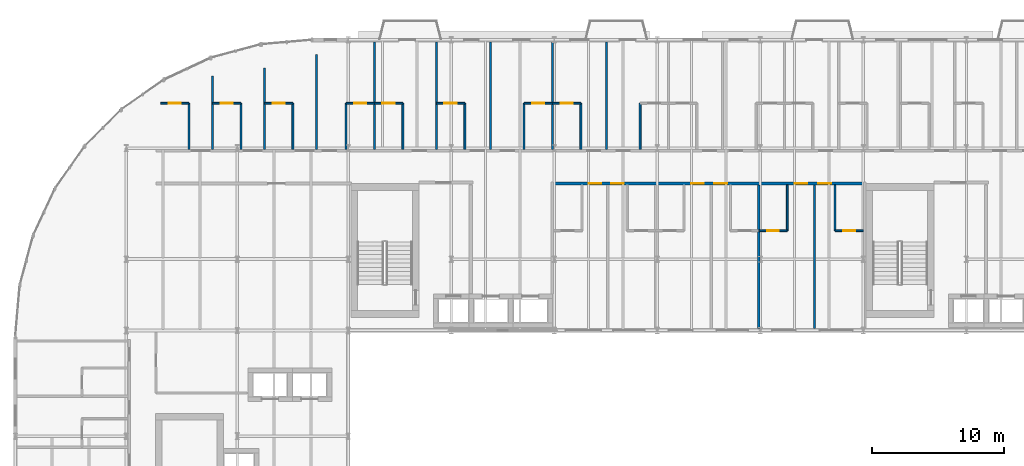
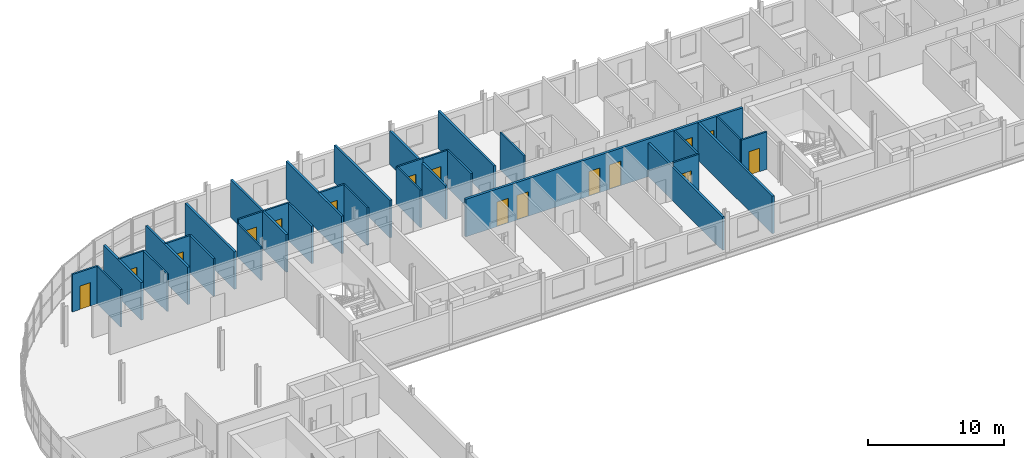
# One storey, part 23 of 36: 32 walls, 16 doors, 16 openings.
"""IFC4 building model written with IfcOpenShell, lengths in metres."""

from ifc_helpers import new_model, si_unit, direction, frame, frame_2d, origin, place, context, subcontext, project, spatial, rectangle, extrude, material, layer, layer_set, type_object, element, fill, save


model = new_model("IFC4")

# Units and contexts
model_context = context("Model", 3, precision=1e-05, world=origin(), true_north=direction((0.0, 1.0)))
body_context = subcontext(model_context, "Body", "Model", "MODEL_VIEW")
ifc_project = project(units=[si_unit("LENGTHUNIT", "METRE"), si_unit("AREAUNIT", "SQUARE_METRE"), si_unit("VOLUMEUNIT", "CUBIC_METRE"), si_unit("PLANEANGLEUNIT", "RADIAN"), si_unit("MASSUNIT", "GRAM", prefix="KILO")], contexts=[model_context])

# Site, building, storey
site_placement = place(None, origin())
site = spatial("IfcSite", under=ifc_project, at=site_placement, CompositionType="ELEMENT")
building_placement = place(site_placement, origin())
building = spatial("IfcBuilding", under=site, at=building_placement, Name="Sefraquen Railside Congress Hotel", CompositionType="ELEMENT")
storey_placement = place(building_placement, frame((0.0, 0.0, 28.199951171875)))
storey = spatial("IfcBuildingStorey", under=building, at=storey_placement, Name="L06", CompositionType="ELEMENT", Elevation=28.199951171875)

# Wall
ifc_material_1 = material(Name="Moisture-resistant gypsum board", Category="gypsum")
ifc_layer_1 = layer(ifc_material_1, 0.139892578125)
ifc_layer_set_1 = layer_set([ifc_layer_1], Name="Moisture-resistant gypsum board")
wall_type_1 = type_object("IfcWallType", Name="TW-PW-140", PredefinedType="PARTITIONING", material=ifc_layer_set_1)
wall_1_placement = place(storey_placement, frame((25.041015625, 109.699951171875, 0.0), z_axis=(0.0, 0.0, 1.0), x_axis=(0.0, 1.0, 0.0)))
element("IfcWall", 1, at=wall_1_placement, inside=storey, type_object=wall_type_1, Name="En-suite bathroom west wall RM-001", PredefinedType="PARTITIONING", context=body_context, shape_type="SweptSolid", body=[
    extrude(rectangle(XDim=3.5, YDim=0.139892578125, at=frame_2d((1.75, 0.0))), origin(), (0.0, 0.0, 1.0), 2.989990234375),
])

# Wall, opening, door
wall_2_placement = place(storey_placement, frame((25.041015625, 113.199951171875, 0.0), z_axis=(0.0, 0.0, 1.0), x_axis=(1.0, 0.0, 0.0)))
wall_2 = element("IfcWall", 2, at=wall_2_placement, inside=storey, type_object=wall_type_1, Name="En-suite bathroom north wall RM-001", PredefinedType="PARTITIONING", context=body_context, shape_type="SweptSolid", body=[
    extrude(rectangle(XDim=2.14990234375, YDim=0.139892578125, at=frame_2d((1.074951171875, 0.0))), origin(), (0.0, 0.0, 1.0), 3.360107421875),
])
opening_1_placement = place(wall_2_placement, frame((0.60498046875, 0.0, 0.0)))
opening_1 = element("IfcOpeningElement", 3, at=opening_1_placement, cuts=wall_2, Name="Opening ID-01", PredefinedType="OPENING", context=body_context, shape_type="SweptSolid", body=[
    extrude(rectangle(XDim=0.93994140625, YDim=2.14990234375, at=frame_2d((0.469970703125, 1.074951171875))), frame((0.0, 0.079833984375, 0.0), z_axis=(0.0, -1.0, 0.0), x_axis=(1.0, 0.0, 0.0)), (0.0, 0.0, 1.0), 0.159912109375),
])
ifc_material_2 = material(Name="Lacquered cedar joinery", Category="wood")
door_type_1 = type_object("IfcDoorType", Name="TD-ID-01", OperationType="NOTDEFINED", PredefinedType="DOOR", material=ifc_material_2)
door_1_placement = place(opening_1_placement, origin())
door_1 = element("IfcDoor", 4, at=door_1_placement, inside=storey, type_object=door_type_1, Name="En-suite bathroom door RM-001", OperationType="SINGLE_SWING_LEFT", OverallHeight=2.14990234375, OverallWidth=0.93994140625, PredefinedType="DOOR", context=body_context, shape_type="SweptSolid", body=[
    extrude(rectangle(XDim=0.93994140625, YDim=2.14990234375, at=frame_2d((0.469970703125, 1.074951171875))), frame((0.0, 0.02490234375, 0.0), z_axis=(0.0, -1.0, 0.0), x_axis=(1.0, 0.0, 0.0)), (0.0, 0.0, 1.0), 0.050048828125),
])
fill(opening_1, door_1)

# Wall
wall_3_placement = place(storey_placement, frame((29.341064453125, 109.699951171875, 0.0), z_axis=(0.0, 0.0, 1.0), x_axis=(0.0, 1.0, 0.0)))
element("IfcWall", 5, at=wall_3_placement, inside=storey, type_object=wall_type_1, Name="En-suite bathroom east wall RM-002", PredefinedType="PARTITIONING", context=body_context, shape_type="SweptSolid", body=[
    extrude(rectangle(XDim=3.5, YDim=0.139892578125, at=frame_2d((1.75, 0.0))), origin(), (0.0, 0.0, 1.0), 3.360107421875),
])

# Wall, opening, door
wall_4_placement = place(storey_placement, frame((27.19091796875, 113.199951171875, 0.0), z_axis=(0.0, 0.0, 1.0), x_axis=(1.0, 0.0, 0.0)))
wall_4 = element("IfcWall", 6, at=wall_4_placement, inside=storey, type_object=wall_type_1, Name="En-suite bathroom north wall RM-002", PredefinedType="PARTITIONING", context=body_context, shape_type="SweptSolid", body=[
    extrude(rectangle(XDim=2.150146484375, YDim=0.139892578125, at=frame_2d((1.0751953125, 0.0))), origin(), (0.0, 0.0, 1.0), 3.360107421875),
])
opening_2_placement = place(wall_4_placement, frame((0.60498046875, 0.0, 0.0)))
opening_2 = element("IfcOpeningElement", 7, at=opening_2_placement, cuts=wall_4, Name="Opening ID-01", PredefinedType="OPENING", context=body_context, shape_type="SweptSolid", body=[
    extrude(rectangle(XDim=0.93994140625, YDim=2.14990234375, at=frame_2d((0.469970703125, 1.074951171875))), frame((0.0, 0.079833984375, 0.0), z_axis=(0.0, -1.0, 0.0), x_axis=(1.0, 0.0, 0.0)), (0.0, 0.0, 1.0), 0.159912109375),
])
door_2_placement = place(opening_2_placement, origin())
door_2 = element("IfcDoor", 8, at=door_2_placement, inside=storey, type_object=door_type_1, Name="En-suite bathroom door RM-002", OperationType="SINGLE_SWING_LEFT", OverallHeight=2.14990234375, OverallWidth=0.93994140625, PredefinedType="DOOR", context=body_context, shape_type="SweptSolid", body=[
    extrude(rectangle(XDim=0.93994140625, YDim=2.14990234375, at=frame_2d((0.469970703125, 1.074951171875))), frame((0.0, 0.02490234375, 0.0), z_axis=(0.0, -1.0, 0.0), x_axis=(1.0, 0.0, 0.0)), (0.0, 0.0, 1.0), 0.050048828125),
])
fill(opening_2, door_2)

# Wall
wall_5_placement = place(storey_placement, frame((34.031982421875, 109.699951171875, 0.0), z_axis=(0.0, 0.0, 1.0), x_axis=(0.0, 1.0, 0.0)))
element("IfcWall", 9, at=wall_5_placement, inside=storey, type_object=wall_type_1, Name="En-suite bathroom east wall RM-003", PredefinedType="PARTITIONING", context=body_context, shape_type="SweptSolid", body=[
    extrude(rectangle(XDim=3.5, YDim=0.139892578125, at=frame_2d((1.75, 0.0))), origin(), (0.0, 0.0, 1.0), 3.360107421875),
])

# Wall, opening, door
wall_6_placement = place(storey_placement, frame((31.882080078125, 113.199951171875, 0.0), z_axis=(0.0, 0.0, 1.0), x_axis=(1.0, 0.0, 0.0)))
wall_6 = element("IfcWall", 10, at=wall_6_placement, inside=storey, type_object=wall_type_1, Name="En-suite bathroom north wall RM-003", PredefinedType="PARTITIONING", context=body_context, shape_type="SweptSolid", body=[
    extrude(rectangle(XDim=2.14990234375, YDim=0.139892578125, at=frame_2d((1.074951171875, 0.0))), origin(), (0.0, 0.0, 1.0), 3.360107421875),
])
opening_3_placement = place(wall_6_placement, frame((0.60498046875, 0.0, 0.0)))
opening_3 = element("IfcOpeningElement", 11, at=opening_3_placement, cuts=wall_6, Name="Opening ID-01", PredefinedType="OPENING", context=body_context, shape_type="SweptSolid", body=[
    extrude(rectangle(XDim=0.93994140625, YDim=2.14990234375, at=frame_2d((0.469970703125, 1.074951171875))), frame((0.0, 0.079833984375, 0.0), z_axis=(0.0, -1.0, 0.0), x_axis=(1.0, 0.0, 0.0)), (0.0, 0.0, 1.0), 0.159912109375),
])
door_3_placement = place(opening_3_placement, origin())
door_3 = element("IfcDoor", 12, at=door_3_placement, inside=storey, type_object=door_type_1, Name="En-suite bathroom door RM-003", OperationType="SINGLE_SWING_LEFT", OverallHeight=2.14990234375, OverallWidth=0.93994140625, PredefinedType="DOOR", context=body_context, shape_type="SweptSolid", body=[
    extrude(rectangle(XDim=0.93994140625, YDim=2.14990234375, at=frame_2d((0.469970703125, 1.074951171875))), frame((0.0, 0.02490234375, 0.0), z_axis=(0.0, -1.0, 0.0), x_axis=(1.0, 0.0, 0.0)), (0.0, 0.0, 1.0), 0.050048828125),
])
fill(opening_3, door_3)

# Wall
wall_7_placement = place(storey_placement, frame((38.513916015625, 109.699951171875, 0.0), z_axis=(0.0, 0.0, 1.0), x_axis=(0.0, 1.0, 0.0)))
element("IfcWall", 13, at=wall_7_placement, inside=storey, type_object=wall_type_1, Name="En-suite bathroom west wall RM-004", PredefinedType="PARTITIONING", context=body_context, shape_type="SweptSolid", body=[
    extrude(rectangle(XDim=3.5, YDim=0.139892578125, at=frame_2d((1.75, 0.0))), origin(), (0.0, 0.0, 1.0), 3.360107421875),
])

# Wall, opening, door
wall_8_placement = place(storey_placement, frame((38.513916015625, 113.199951171875, 0.0), z_axis=(0.0, 0.0, 1.0), x_axis=(1.0, 0.0, 0.0)))
wall_8 = element("IfcWall", 14, at=wall_8_placement, inside=storey, type_object=wall_type_1, Name="En-suite bathroom north wall RM-004", PredefinedType="PARTITIONING", context=body_context, shape_type="SweptSolid", body=[
    extrude(rectangle(XDim=2.150146484375, YDim=0.139892578125, at=frame_2d((1.0751953125, 0.0))), origin(), (0.0, 0.0, 1.0), 3.360107421875),
])
opening_4_placement = place(wall_8_placement, frame((0.60498046875, 0.0, 0.0)))
opening_4 = element("IfcOpeningElement", 15, at=opening_4_placement, cuts=wall_8, Name="Opening ID-01", PredefinedType="OPENING", context=body_context, shape_type="SweptSolid", body=[
    extrude(rectangle(XDim=0.93994140625, YDim=2.14990234375, at=frame_2d((0.469970703125, 1.074951171875))), frame((0.0, 0.079833984375, 0.0), z_axis=(0.0, -1.0, 0.0), x_axis=(1.0, 0.0, 0.0)), (0.0, 0.0, 1.0), 0.159912109375),
])
door_4_placement = place(opening_4_placement, origin())
door_4 = element("IfcDoor", 16, at=door_4_placement, inside=storey, type_object=door_type_1, Name="En-suite bathroom door RM-004", OperationType="SINGLE_SWING_LEFT", OverallHeight=2.14990234375, OverallWidth=0.93994140625, PredefinedType="DOOR", context=body_context, shape_type="SweptSolid", body=[
    extrude(rectangle(XDim=0.93994140625, YDim=2.14990234375, at=frame_2d((0.469970703125, 1.074951171875))), frame((0.0, 0.02490234375, 0.0), z_axis=(0.0, -1.0, 0.0), x_axis=(1.0, 0.0, 0.0)), (0.0, 0.0, 1.0), 0.050048828125),
])
fill(opening_4, door_4)

# Wall
wall_9_placement = place(storey_placement, frame((42.81396484375, 109.699951171875, 0.0), z_axis=(0.0, 0.0, 1.0), x_axis=(0.0, 1.0, 0.0)))
element("IfcWall", 17, at=wall_9_placement, inside=storey, type_object=wall_type_1, Name="En-suite bathroom east wall RM-005", PredefinedType="PARTITIONING", context=body_context, shape_type="SweptSolid", body=[
    extrude(rectangle(XDim=3.5, YDim=0.139892578125, at=frame_2d((1.75, 0.0))), origin(), (0.0, 0.0, 1.0), 3.360107421875),
])

# Wall, opening, door
wall_10_placement = place(storey_placement, frame((40.6640625, 113.199951171875, 0.0), z_axis=(0.0, 0.0, 1.0), x_axis=(1.0, 0.0, 0.0)))
wall_10 = element("IfcWall", 18, at=wall_10_placement, inside=storey, type_object=wall_type_1, Name="En-suite bathroom north wall RM-005", PredefinedType="PARTITIONING", context=body_context, shape_type="SweptSolid", body=[
    extrude(rectangle(XDim=2.14990234375, YDim=0.139892578125, at=frame_2d((1.074951171875, 0.0))), origin(), (0.0, 0.0, 1.0), 3.360107421875),
])
opening_5_placement = place(wall_10_placement, frame((0.625, 0.0, 0.0)))
opening_5 = element("IfcOpeningElement", 19, at=opening_5_placement, cuts=wall_10, Name="Opening ID-02", PredefinedType="OPENING", context=body_context, shape_type="SweptSolid", body=[
    extrude(rectangle(XDim=0.89990234375, YDim=2.10009765625, at=frame_2d((0.449951171875, 1.050048828125))), frame((0.0, 0.079833984375, 0.0), z_axis=(0.0, -1.0, 0.0), x_axis=(1.0, 0.0, 0.0)), (0.0, 0.0, 1.0), 0.159912109375),
])
door_type_2 = type_object("IfcDoorType", Name="TD-ID-02", OperationType="NOTDEFINED", PredefinedType="DOOR", material=ifc_material_2)
door_5_placement = place(opening_5_placement, origin())
door_5 = element("IfcDoor", 20, at=door_5_placement, inside=storey, type_object=door_type_2, Name="En-suite bathroom door RM-005", OperationType="SINGLE_SWING_LEFT", OverallHeight=2.10009765625, OverallWidth=0.89990234375, PredefinedType="DOOR", context=body_context, shape_type="SweptSolid", body=[
    extrude(rectangle(XDim=0.89990234375, YDim=2.10009765625, at=frame_2d((0.449951171875, 1.050048828125))), frame((0.0, 0.02490234375, 0.0), z_axis=(0.0, -1.0, 0.0), x_axis=(1.0, 0.0, 0.0)), (0.0, 0.0, 1.0), 0.050048828125),
])
fill(opening_5, door_5)

# Walls
wall_11_placement = place(storey_placement, frame((47.294921875, 109.699951171875, 0.0), z_axis=(0.0, 0.0, 1.0), x_axis=(0.0, 1.0, 0.0)))
element("IfcWall", 21, at=wall_11_placement, inside=storey, type_object=wall_type_1, Name="En-suite bathroom west wall RM-006", PredefinedType="PARTITIONING", context=body_context, shape_type="SweptSolid", body=[
    extrude(rectangle(XDim=3.5, YDim=0.139892578125, at=frame_2d((1.75, 0.0))), origin(), (0.0, 0.0, 1.0), 3.360107421875),
])
wall_12_placement = place(storey_placement, frame((58.43310546875, 103.550048828125, 0.0), z_axis=(0.0, 0.0, 1.0), x_axis=(0.0, 1.0, 0.0)))
element("IfcWall", 22, at=wall_12_placement, inside=storey, type_object=wall_type_1, Name="En-suite bathroom east wall RM-027", PredefinedType="PARTITIONING", context=body_context, shape_type="SweptSolid", body=[
    extrude(rectangle(XDim=3.469970703125, YDim=0.139892578125, at=frame_2d((1.73486328125, 0.0))), origin(), (0.0, 0.0, 1.0), 3.360107421875),
])

# Wall, opening, door
wall_13_placement = place(storey_placement, frame((56.282958984375, 103.550048828125, 0.0), z_axis=(0.0, 0.0, 1.0), x_axis=(1.0, 0.0, 0.0)))
wall_13 = element("IfcWall", 23, at=wall_13_placement, inside=storey, type_object=wall_type_1, Name="En-suite bathroom south wall RM-027", PredefinedType="PARTITIONING", context=body_context, shape_type="SweptSolid", body=[
    extrude(rectangle(XDim=2.150146484375, YDim=0.139892578125, at=frame_2d((1.0751953125, 0.0))), origin(), (0.0, 0.0, 1.0), 3.360107421875),
])
opening_6_placement = place(wall_13_placement, frame((0.625, 0.0, 0.0)))
opening_6 = element("IfcOpeningElement", 24, at=opening_6_placement, cuts=wall_13, Name="Opening ID-02", PredefinedType="OPENING", context=body_context, shape_type="SweptSolid", body=[
    extrude(rectangle(XDim=0.89990234375, YDim=2.10009765625, at=frame_2d((0.449951171875, 1.050048828125))), frame((0.0, 0.079833984375, 0.0), z_axis=(0.0, -1.0, 0.0), x_axis=(1.0, 0.0, 0.0)), (0.0, 0.0, 1.0), 0.159912109375),
])
door_6_placement = place(opening_6_placement, frame((0.89990234375, 0.0, 0.0), z_axis=(0.0, 0.0, 1.0), x_axis=(-1.0, 0.0, 0.0)))
door_6 = element("IfcDoor", 25, at=door_6_placement, inside=storey, type_object=door_type_2, Name="En-suite bathroom door RM-027", OperationType="SINGLE_SWING_LEFT", OverallHeight=2.10009765625, OverallWidth=0.89990234375, PredefinedType="DOOR", context=body_context, shape_type="SweptSolid", body=[
    extrude(rectangle(XDim=0.89990234375, YDim=2.10009765625, at=frame_2d((0.449951171875, 1.050048828125))), frame((0.0, 0.02490234375, 0.0), z_axis=(0.0, -1.0, 0.0), x_axis=(1.0, 0.0, 0.0)), (0.0, 0.0, 1.0), 0.050048828125),
])
fill(opening_6, door_6)

# Wall
wall_14_placement = place(storey_placement, frame((62.050048828125, 103.550048828125, 0.0), z_axis=(0.0, 0.0, 1.0), x_axis=(0.0, 1.0, 0.0)))
element("IfcWall", 26, at=wall_14_placement, inside=storey, type_object=wall_type_1, Name="En-suite bathroom west wall RM-028", PredefinedType="PARTITIONING", context=body_context, shape_type="SweptSolid", body=[
    extrude(rectangle(XDim=3.469970703125, YDim=0.139892578125, at=frame_2d((1.73486328125, 0.0))), origin(), (0.0, 0.0, 1.0), 3.360107421875),
])

# Wall, opening, door
wall_15_placement = place(storey_placement, frame((62.050048828125, 103.550048828125, 0.0), z_axis=(0.0, 0.0, 1.0), x_axis=(1.0, 0.0, 0.0)))
wall_15 = element("IfcWall", 27, at=wall_15_placement, inside=storey, type_object=wall_type_1, Name="En-suite bathroom south wall RM-028", PredefinedType="PARTITIONING", context=body_context, shape_type="SweptSolid", body=[
    extrude(rectangle(XDim=2.14990234375, YDim=0.139892578125, at=frame_2d((1.074951171875, 0.0))), origin(), (0.0, 0.0, 1.0), 3.360107421875),
])
opening_7_placement = place(wall_15_placement, frame((0.625, 0.0, 0.0)))
opening_7 = element("IfcOpeningElement", 28, at=opening_7_placement, cuts=wall_15, Name="Opening ID-02", PredefinedType="OPENING", context=body_context, shape_type="SweptSolid", body=[
    extrude(rectangle(XDim=0.89990234375, YDim=2.10009765625, at=frame_2d((0.449951171875, 1.050048828125))), frame((0.0, 0.079833984375, 0.0), z_axis=(0.0, -1.0, 0.0), x_axis=(1.0, 0.0, 0.0)), (0.0, 0.0, 1.0), 0.159912109375),
])
door_7_placement = place(opening_7_placement, frame((0.89990234375, 0.0, 0.0), z_axis=(0.0, 0.0, 1.0), x_axis=(-1.0, 0.0, 0.0)))
door_7 = element("IfcDoor", 29, at=door_7_placement, inside=storey, type_object=door_type_2, Name="En-suite bathroom door RM-028", OperationType="SINGLE_SWING_LEFT", OverallHeight=2.10009765625, OverallWidth=0.89990234375, PredefinedType="DOOR", context=body_context, shape_type="SweptSolid", body=[
    extrude(rectangle(XDim=0.89990234375, YDim=2.10009765625, at=frame_2d((0.449951171875, 1.050048828125))), frame((0.0, 0.02490234375, 0.0), z_axis=(0.0, -1.0, 0.0), x_axis=(1.0, 0.0, 0.0)), (0.0, 0.0, 1.0), 0.050048828125),
])
fill(opening_7, door_7)

# Wall
wall_16_placement = place(storey_placement, frame((13.14990234375, 109.699951171875, 0.0), z_axis=(0.0, 0.0, 1.0), x_axis=(0.0, 1.0, 0.0)))
element("IfcWall", 30, at=wall_16_placement, inside=storey, type_object=wall_type_1, Name="En-suite bathroom east wall RM-047", PredefinedType="PARTITIONING", context=body_context, shape_type="SweptSolid", body=[
    extrude(rectangle(XDim=3.5, YDim=0.139892578125, at=frame_2d((1.75, 0.0))), origin(), (0.0, 0.0, 1.0), 3.360107421875),
])

# Wall, opening, door
wall_17_placement = place(storey_placement, frame((11.0, 113.199951171875, 0.0), z_axis=(0.0, 0.0, 1.0), x_axis=(1.0, 0.0, 0.0)))
wall_17 = element("IfcWall", 31, at=wall_17_placement, inside=storey, type_object=wall_type_1, Name="En-suite bathroom north wall RM-047", PredefinedType="PARTITIONING", context=body_context, shape_type="SweptSolid", body=[
    extrude(rectangle(XDim=2.14990234375, YDim=0.139892578125, at=frame_2d((1.074951171875, 0.0))), origin(), (0.0, 0.0, 1.0), 3.360107421875),
])
opening_8_placement = place(wall_17_placement, frame((0.625, 0.0, 0.0)))
opening_8 = element("IfcOpeningElement", 32, at=opening_8_placement, cuts=wall_17, Name="Opening ID-02", PredefinedType="OPENING", context=body_context, shape_type="SweptSolid", body=[
    extrude(rectangle(XDim=0.89990234375, YDim=2.10009765625, at=frame_2d((0.449951171875, 1.050048828125))), frame((0.0, 0.079833984375, 0.0), z_axis=(0.0, -1.0, 0.0), x_axis=(1.0, 0.0, 0.0)), (0.0, 0.0, 1.0), 0.159912109375),
])
door_8_placement = place(opening_8_placement, origin())
door_8 = element("IfcDoor", 33, at=door_8_placement, inside=storey, type_object=door_type_2, Name="En-suite bathroom door RM-047", OperationType="SINGLE_SWING_RIGHT", OverallHeight=2.10009765625, OverallWidth=0.89990234375, PredefinedType="DOOR", context=body_context, shape_type="SweptSolid", body=[
    extrude(rectangle(XDim=0.89990234375, YDim=2.10009765625, at=frame_2d((0.449951171875, 1.050048828125))), frame((0.0, 0.02490234375, 0.0), z_axis=(0.0, -1.0, 0.0), x_axis=(1.0, 0.0, 0.0)), (0.0, 0.0, 1.0), 0.050048828125),
])
fill(opening_8, door_8)

# Wall
wall_18_placement = place(storey_placement, frame((17.0830078125, 109.699951171875, 0.0), z_axis=(0.0, 0.0, 1.0), x_axis=(0.0, 1.0, 0.0)))
element("IfcWall", 34, at=wall_18_placement, inside=storey, type_object=wall_type_1, Name="En-suite bathroom east wall RM-048", PredefinedType="PARTITIONING", context=body_context, shape_type="SweptSolid", body=[
    extrude(rectangle(XDim=3.5, YDim=0.139892578125, at=frame_2d((1.75, 0.0))), origin(), (0.0, 0.0, 1.0), 3.360107421875),
])

# Wall, opening, door
wall_19_placement = place(storey_placement, frame((14.93310546875, 113.199951171875, 0.0), z_axis=(0.0, 0.0, 1.0), x_axis=(1.0, 0.0, 0.0)))
wall_19 = element("IfcWall", 35, at=wall_19_placement, inside=storey, type_object=wall_type_1, Name="En-suite bathroom north wall RM-048", PredefinedType="PARTITIONING", context=body_context, shape_type="SweptSolid", body=[
    extrude(rectangle(XDim=2.14990234375, YDim=0.139892578125, at=frame_2d((1.074951171875, 0.0))), origin(), (0.0, 0.0, 1.0), 3.360107421875),
])
opening_9_placement = place(wall_19_placement, frame((0.625, 0.0, 0.0)))
opening_9 = element("IfcOpeningElement", 36, at=opening_9_placement, cuts=wall_19, Name="Opening ID-02", PredefinedType="OPENING", context=body_context, shape_type="SweptSolid", body=[
    extrude(rectangle(XDim=0.89990234375, YDim=2.10009765625, at=frame_2d((0.449951171875, 1.050048828125))), frame((0.0, 0.079833984375, 0.0), z_axis=(0.0, -1.0, 0.0), x_axis=(1.0, 0.0, 0.0)), (0.0, 0.0, 1.0), 0.159912109375),
])
door_9_placement = place(opening_9_placement, origin())
door_9 = element("IfcDoor", 37, at=door_9_placement, inside=storey, type_object=door_type_2, Name="En-suite bathroom door RM-048", OperationType="SINGLE_SWING_LEFT", OverallHeight=2.10009765625, OverallWidth=0.89990234375, PredefinedType="DOOR", context=body_context, shape_type="SweptSolid", body=[
    extrude(rectangle(XDim=0.89990234375, YDim=2.10009765625, at=frame_2d((0.449951171875, 1.050048828125))), frame((0.0, 0.02490234375, 0.0), z_axis=(0.0, -1.0, 0.0), x_axis=(1.0, 0.0, 0.0)), (0.0, 0.0, 1.0), 0.050048828125),
])
fill(opening_9, door_9)

# Wall
wall_20_placement = place(storey_placement, frame((21.01708984375, 109.699951171875, 0.0), z_axis=(0.0, 0.0, 1.0), x_axis=(0.0, 1.0, 0.0)))
element("IfcWall", 38, at=wall_20_placement, inside=storey, type_object=wall_type_1, Name="En-suite bathroom east wall RM-049", PredefinedType="PARTITIONING", context=body_context, shape_type="SweptSolid", body=[
    extrude(rectangle(XDim=3.5, YDim=0.139892578125, at=frame_2d((1.75, 0.0))), origin(), (0.0, 0.0, 1.0), 3.360107421875),
])

# Wall, opening, door
wall_21_placement = place(storey_placement, frame((18.866943359375, 113.199951171875, 0.0), z_axis=(0.0, 0.0, 1.0), x_axis=(1.0, 0.0, 0.0)))
wall_21 = element("IfcWall", 39, at=wall_21_placement, inside=storey, type_object=wall_type_1, Name="En-suite bathroom north wall RM-049", PredefinedType="PARTITIONING", context=body_context, shape_type="SweptSolid", body=[
    extrude(rectangle(XDim=2.150146484375, YDim=0.139892578125, at=frame_2d((1.0751953125, 0.0))), origin(), (0.0, 0.0, 1.0), 3.360107421875),
])
opening_10_placement = place(wall_21_placement, frame((0.625, 0.0, 0.0)))
opening_10 = element("IfcOpeningElement", 40, at=opening_10_placement, cuts=wall_21, Name="Opening ID-02", PredefinedType="OPENING", context=body_context, shape_type="SweptSolid", body=[
    extrude(rectangle(XDim=0.89990234375, YDim=2.10009765625, at=frame_2d((0.449951171875, 1.050048828125))), frame((0.0, 0.079833984375, 0.0), z_axis=(0.0, -1.0, 0.0), x_axis=(1.0, 0.0, 0.0)), (0.0, 0.0, 1.0), 0.159912109375),
])
door_10_placement = place(opening_10_placement, origin())
door_10 = element("IfcDoor", 41, at=door_10_placement, inside=storey, type_object=door_type_2, Name="En-suite bathroom door RM-049", OperationType="SINGLE_SWING_RIGHT", OverallHeight=2.10009765625, OverallWidth=0.89990234375, PredefinedType="DOOR", context=body_context, shape_type="SweptSolid", body=[
    extrude(rectangle(XDim=0.89990234375, YDim=2.10009765625, at=frame_2d((0.449951171875, 1.050048828125))), frame((0.0, 0.02490234375, 0.0), z_axis=(0.0, -1.0, 0.0), x_axis=(1.0, 0.0, 0.0)), (0.0, 0.0, 1.0), 0.050048828125),
])
fill(opening_10, door_10)

# Walls
ifc_material_3 = material(Name="Acoustic gypsum board on metal stud", Category="gypsum")
ifc_layer_2 = layer(ifc_material_3, 0.179931640625)
ifc_layer_set_2 = layer_set([ifc_layer_2], Name="Acoustic gypsum board on metal stud")
wall_type_2 = type_object("IfcWallType", Name="TW-PW-180", PredefinedType="PARTITIONING", material=ifc_layer_set_2)
for number, where, z_axis, x_axis, name in (
    (42, (27.19091796875, 109.699951171875, 0.0), (0.0, 0.0, 1.0), (0.0, 1.0, 0.0), "Guest room demising wall RM-001"),
    (43, (31.882080078125, 109.699951171875, 0.0), (0.0, 0.0, 1.0), (0.0, 1.0, 0.0), "Guest room demising wall RM-002"),
    (44, (35.972900390625, 109.699951171875, 0.0), (0.0, 0.0, 1.0), (0.0, 1.0, 0.0), "Guest room demising wall RM-003"),
):
    element("IfcWall", number, at=place(storey_placement, frame(where, z_axis=z_axis, x_axis=x_axis)), inside=storey, type_object=wall_type_2, Name=name, PredefinedType="PARTITIONING", context=body_context, shape_type="SweptSolid", body=[
        extrude(rectangle(XDim=8.150146484375, YDim=0.179931640625, at=frame_2d((4.0751953125, 0.0))), origin(), (0.0, 0.0, 1.0), 3.360107421875),
    ])
wall_22_placement = place(storey_placement, frame((40.6640625, 109.699951171875, 0.0), z_axis=(0.0, 0.0, 1.0), x_axis=(0.0, 1.0, 0.0)))
element("IfcWall", 45, at=wall_22_placement, inside=storey, type_object=wall_type_2, Name="Guest room demising wall RM-004", PredefinedType="PARTITIONING", context=body_context, shape_type="SweptSolid", body=[
    extrude(rectangle(XDim=8.150146484375, YDim=0.179931640625, at=frame_2d((4.0751953125, 0.0))), origin(), (0.0, 0.0, 1.0), 2.989990234375),
])
wall_23_placement = place(storey_placement, frame((44.7548828125, 109.699951171875, 0.0), z_axis=(0.0, 0.0, 1.0), x_axis=(0.0, 1.0, 0.0)))
element("IfcWall", 46, at=wall_23_placement, inside=storey, type_object=wall_type_2, Name="Guest room demising wall RM-005", PredefinedType="PARTITIONING", context=body_context, shape_type="SweptSolid", body=[
    extrude(rectangle(XDim=8.150146484375, YDim=0.179931640625, at=frame_2d((4.0751953125, 0.0))), origin(), (0.0, 0.0, 1.0), 3.360107421875),
])
wall_24_placement = place(storey_placement, frame((56.282958984375, 96.139892578125, 0.0), z_axis=(0.0, 0.0, 1.0), x_axis=(0.0, 1.0, 0.0)))
element("IfcWall", 47, at=wall_24_placement, inside=storey, type_object=wall_type_2, Name="South guest room demising wall RM-026", PredefinedType="PARTITIONING", context=body_context, shape_type="SweptSolid", body=[
    extrude(rectangle(XDim=10.880126953125, YDim=0.179931640625, at=frame_2d((5.43994140625, 0.0))), origin(), (0.0, 0.0, 1.0), 2.989990234375),
])
wall_25_placement = place(storey_placement, frame((60.491943359375, 96.139892578125, 0.0), z_axis=(0.0, 0.0, 1.0), x_axis=(0.0, 1.0, 0.0)))
element("IfcWall", 48, at=wall_25_placement, inside=storey, type_object=wall_type_2, Name="South guest room demising wall RM-027", PredefinedType="PARTITIONING", context=body_context, shape_type="SweptSolid", body=[
    extrude(rectangle(XDim=10.880126953125, YDim=0.179931640625, at=frame_2d((5.43994140625, 0.0))), origin(), (0.0, 0.0, 1.0), 3.360107421875),
])
wall_26_placement = place(storey_placement, frame((14.93310546875, 109.699951171875, 0.0), z_axis=(0.0, 0.0, 1.0), x_axis=(0.0, 1.0, 0.0)))
element("IfcWall", 49, at=wall_26_placement, inside=storey, type_object=wall_type_2, Name="Guest room demising wall RM-047", PredefinedType="PARTITIONING", context=body_context, shape_type="SweptSolid", body=[
    extrude(rectangle(XDim=5.550048828125, YDim=0.179931640625, at=frame_2d((2.77490234375, 0.0))), origin(), (0.0, 0.0, 1.0), 3.360107421875),
])
wall_27_placement = place(storey_placement, frame((18.866943359375, 109.699951171875, 0.0), z_axis=(0.0, 0.0, 1.0), x_axis=(0.0, 1.0, 0.0)))
element("IfcWall", 50, at=wall_27_placement, inside=storey, type_object=wall_type_2, Name="Guest room demising wall RM-048", PredefinedType="PARTITIONING", context=body_context, shape_type="SweptSolid", body=[
    extrude(rectangle(XDim=6.150146484375, YDim=0.179931640625, at=frame_2d((3.0751953125, 0.0))), origin(), (0.0, 0.0, 1.0), 3.360107421875),
])
wall_28_placement = place(storey_placement, frame((22.800048828125, 109.699951171875, 0.0), z_axis=(0.0, 0.0, 1.0), x_axis=(0.0, 1.0, 0.0)))
element("IfcWall", 51, at=wall_28_placement, inside=storey, type_object=wall_type_2, Name="Guest room demising wall RM-049", PredefinedType="PARTITIONING", context=body_context, shape_type="SweptSolid", body=[
    extrude(rectangle(XDim=7.199951171875, YDim=0.179931640625, at=frame_2d((3.60009765625, 0.0))), origin(), (0.0, 0.0, 1.0), 3.360107421875),
])

# Wall, openings, doors
ifc_layer_3 = layer(ifc_material_3, 0.199951171875)
ifc_layer_set_3 = layer_set([ifc_layer_3], Name="Acoustic gypsum board on metal stud")
wall_type_3 = type_object("IfcWallType", Name="TW-PW-200", PredefinedType="PARTITIONING", material=ifc_layer_set_3)
wall_29_placement = place(storey_placement, frame((40.760009765625, 107.1201171875, 0.0), z_axis=(0.0, 0.0, 1.0), x_axis=(1.0, 0.0, 0.0)))
wall_29 = element("IfcWall", 52, at=wall_29_placement, inside=storey, type_object=wall_type_3, Name="Hotel L06 south-mid corridor fire-rated partition", PredefinedType="PARTITIONING", context=body_context, shape_type="SweptSolid", body=[
    extrude(rectangle(XDim=23.43994140625, YDim=0.199951171875, at=frame_2d((11.719970703125, 0.0))), origin(), (0.0, 0.0, 1.0), 3.360107421875),
])
opening_11_placement = place(wall_29_placement, frame((2.638916015625, 0.0, 0.0)))
opening_11 = element("IfcOpeningElement", 53, at=opening_11_placement, cuts=wall_29, Name="Opening GD-02", PredefinedType="OPENING", context=body_context, shape_type="SweptSolid", body=[
    extrude(rectangle(XDim=0.9599609375, YDim=2.199951171875, at=frame_2d((0.47998046875, 1.10009765625))), frame((0.0, 0.10986328125, 0.0), z_axis=(0.0, -1.0, 0.0), x_axis=(1.0, 0.0, 0.0)), (0.0, 0.0, 1.0), 0.219970703125),
])
opening_12_placement = place(wall_29_placement, frame((4.347900390625, 0.0, 0.0)))
opening_12 = element("IfcOpeningElement", 54, at=opening_12_placement, cuts=wall_29, Name="Opening GD-02", PredefinedType="OPENING", context=body_context, shape_type="SweptSolid", body=[
    extrude(rectangle(XDim=0.9599609375, YDim=2.199951171875, at=frame_2d((0.47998046875, 1.10009765625))), frame((0.0, 0.10986328125, 0.0), z_axis=(0.0, -1.0, 0.0), x_axis=(1.0, 0.0, 0.0)), (0.0, 0.0, 1.0), 0.219970703125),
])
opening_13_placement = place(wall_29_placement, frame((10.406005859375, 0.0, 0.0)))
opening_13 = element("IfcOpeningElement", 55, at=opening_13_placement, cuts=wall_29, Name="Opening GD-02", PredefinedType="OPENING", context=body_context, shape_type="SweptSolid", body=[
    extrude(rectangle(XDim=0.9599609375, YDim=2.199951171875, at=frame_2d((0.47998046875, 1.10009765625))), frame((0.0, 0.10986328125, 0.0), z_axis=(0.0, -1.0, 0.0), x_axis=(1.0, 0.0, 0.0)), (0.0, 0.0, 1.0), 0.219970703125),
])
opening_14_placement = place(wall_29_placement, frame((12.1640625, 0.0, 0.0)))
opening_14 = element("IfcOpeningElement", 56, at=opening_14_placement, cuts=wall_29, Name="Opening GD-02", PredefinedType="OPENING", context=body_context, shape_type="SweptSolid", body=[
    extrude(rectangle(XDim=0.9599609375, YDim=2.199951171875, at=frame_2d((0.47998046875, 1.10009765625))), frame((0.0, 0.10986328125, 0.0), z_axis=(0.0, -1.0, 0.0), x_axis=(1.0, 0.0, 0.0)), (0.0, 0.0, 1.0), 0.219970703125),
])
opening_15_placement = place(wall_29_placement, frame((18.222900390625, 0.0, 0.0)))
opening_15 = element("IfcOpeningElement", 57, at=opening_15_placement, cuts=wall_29, Name="Opening GD-02", PredefinedType="OPENING", context=body_context, shape_type="SweptSolid", body=[
    extrude(rectangle(XDim=0.9599609375, YDim=2.199951171875, at=frame_2d((0.47998046875, 1.10009765625))), frame((0.0, 0.10986328125, 0.0), z_axis=(0.0, -1.0, 0.0), x_axis=(1.0, 0.0, 0.0)), (0.0, 0.0, 1.0), 0.219970703125),
])
opening_16_placement = place(wall_29_placement, frame((20.031005859375, 0.0, 0.0)))
opening_16 = element("IfcOpeningElement", 58, at=opening_16_placement, cuts=wall_29, Name="Opening GD-02", PredefinedType="OPENING", context=body_context, shape_type="SweptSolid", body=[
    extrude(rectangle(XDim=0.9599609375, YDim=2.199951171875, at=frame_2d((0.47998046875, 1.10009765625))), frame((0.0, 0.10986328125, 0.0), z_axis=(0.0, -1.0, 0.0), x_axis=(1.0, 0.0, 0.0)), (0.0, 0.0, 1.0), 0.219970703125),
])
ifc_material_4 = material(Name="Solid Atlas cedar timber fire leaf", Category="wood")
door_type_3 = type_object("IfcDoorType", Name="TD-GD-02", OperationType="NOTDEFINED", PredefinedType="DOOR", material=ifc_material_4)
door_11_placement = place(opening_11_placement, frame((0.9599609375, 0.0, 0.0), z_axis=(0.0, 0.0, 1.0), x_axis=(-1.0, 0.0, 0.0)))
door_11 = element("IfcDoor", 59, at=door_11_placement, inside=storey, type_object=door_type_3, Name="Guest room entrance fire door RM-023", OperationType="SINGLE_SWING_RIGHT", OverallHeight=2.199951171875, OverallWidth=0.9599609375, PredefinedType="DOOR", context=body_context, shape_type="SweptSolid", body=[
    extrude(rectangle(XDim=0.9599609375, YDim=2.199951171875, at=frame_2d((0.47998046875, 1.10009765625))), frame((0.0, 0.02490234375, 0.0), z_axis=(0.0, -1.0, 0.0), x_axis=(1.0, 0.0, 0.0)), (0.0, 0.0, 1.0), 0.050048828125),
])
fill(opening_11, door_11)
door_12_placement = place(opening_12_placement, frame((0.9599609375, 0.0, 0.0), z_axis=(0.0, 0.0, 1.0), x_axis=(-1.0, 0.0, 0.0)))
door_12 = element("IfcDoor", 60, at=door_12_placement, inside=storey, type_object=door_type_3, Name="Guest room entrance fire door RM-024", OperationType="SINGLE_SWING_RIGHT", OverallHeight=2.199951171875, OverallWidth=0.9599609375, PredefinedType="DOOR", context=body_context, shape_type="SweptSolid", body=[
    extrude(rectangle(XDim=0.9599609375, YDim=2.199951171875, at=frame_2d((0.47998046875, 1.10009765625))), frame((0.0, 0.02490234375, 0.0), z_axis=(0.0, -1.0, 0.0), x_axis=(1.0, 0.0, 0.0)), (0.0, 0.0, 1.0), 0.050048828125),
])
fill(opening_12, door_12)
door_13_placement = place(opening_13_placement, frame((0.9599609375, 0.0, 0.0), z_axis=(0.0, 0.0, 1.0), x_axis=(-1.0, 0.0, 0.0)))
door_13 = element("IfcDoor", 61, at=door_13_placement, inside=storey, type_object=door_type_3, Name="Guest room entrance fire door RM-025", OperationType="SINGLE_SWING_RIGHT", OverallHeight=2.199951171875, OverallWidth=0.9599609375, PredefinedType="DOOR", context=body_context, shape_type="SweptSolid", body=[
    extrude(rectangle(XDim=0.9599609375, YDim=2.199951171875, at=frame_2d((0.47998046875, 1.10009765625))), frame((0.0, 0.02490234375, 0.0), z_axis=(0.0, -1.0, 0.0), x_axis=(1.0, 0.0, 0.0)), (0.0, 0.0, 1.0), 0.050048828125),
])
fill(opening_13, door_13)
door_14_placement = place(opening_14_placement, frame((0.9599609375, 0.0, 0.0), z_axis=(0.0, 0.0, 1.0), x_axis=(-1.0, 0.0, 0.0)))
door_14 = element("IfcDoor", 62, at=door_14_placement, inside=storey, type_object=door_type_3, Name="Guest room entrance fire door RM-026", OperationType="SINGLE_SWING_RIGHT", OverallHeight=2.199951171875, OverallWidth=0.9599609375, PredefinedType="DOOR", context=body_context, shape_type="SweptSolid", body=[
    extrude(rectangle(XDim=0.9599609375, YDim=2.199951171875, at=frame_2d((0.47998046875, 1.10009765625))), frame((0.0, 0.02490234375, 0.0), z_axis=(0.0, -1.0, 0.0), x_axis=(1.0, 0.0, 0.0)), (0.0, 0.0, 1.0), 0.050048828125),
])
fill(opening_14, door_14)
door_15_placement = place(opening_15_placement, frame((0.9599609375, 0.0, 0.0), z_axis=(0.0, 0.0, 1.0), x_axis=(-1.0, 0.0, 0.0)))
door_15 = element("IfcDoor", 63, at=door_15_placement, inside=storey, type_object=door_type_3, Name="Guest room entrance fire door RM-027", OperationType="SINGLE_SWING_RIGHT", OverallHeight=2.199951171875, OverallWidth=0.9599609375, PredefinedType="DOOR", context=body_context, shape_type="SweptSolid", body=[
    extrude(rectangle(XDim=0.9599609375, YDim=2.199951171875, at=frame_2d((0.47998046875, 1.10009765625))), frame((0.0, 0.02490234375, 0.0), z_axis=(0.0, -1.0, 0.0), x_axis=(1.0, 0.0, 0.0)), (0.0, 0.0, 1.0), 0.050048828125),
])
fill(opening_15, door_15)
door_16_placement = place(opening_16_placement, frame((0.9599609375, 0.0, 0.0), z_axis=(0.0, 0.0, 1.0), x_axis=(-1.0, 0.0, 0.0)))
door_16 = element("IfcDoor", 64, at=door_16_placement, inside=storey, type_object=door_type_3, Name="Guest room entrance fire door RM-028", OperationType="SINGLE_SWING_RIGHT", OverallHeight=2.199951171875, OverallWidth=0.9599609375, PredefinedType="DOOR", context=body_context, shape_type="SweptSolid", body=[
    extrude(rectangle(XDim=0.9599609375, YDim=2.199951171875, at=frame_2d((0.47998046875, 1.10009765625))), frame((0.0, 0.02490234375, 0.0), z_axis=(0.0, -1.0, 0.0), x_axis=(1.0, 0.0, 0.0)), (0.0, 0.0, 1.0), 0.050048828125),
])
fill(opening_16, door_16)

save(model, "model.ifc")
